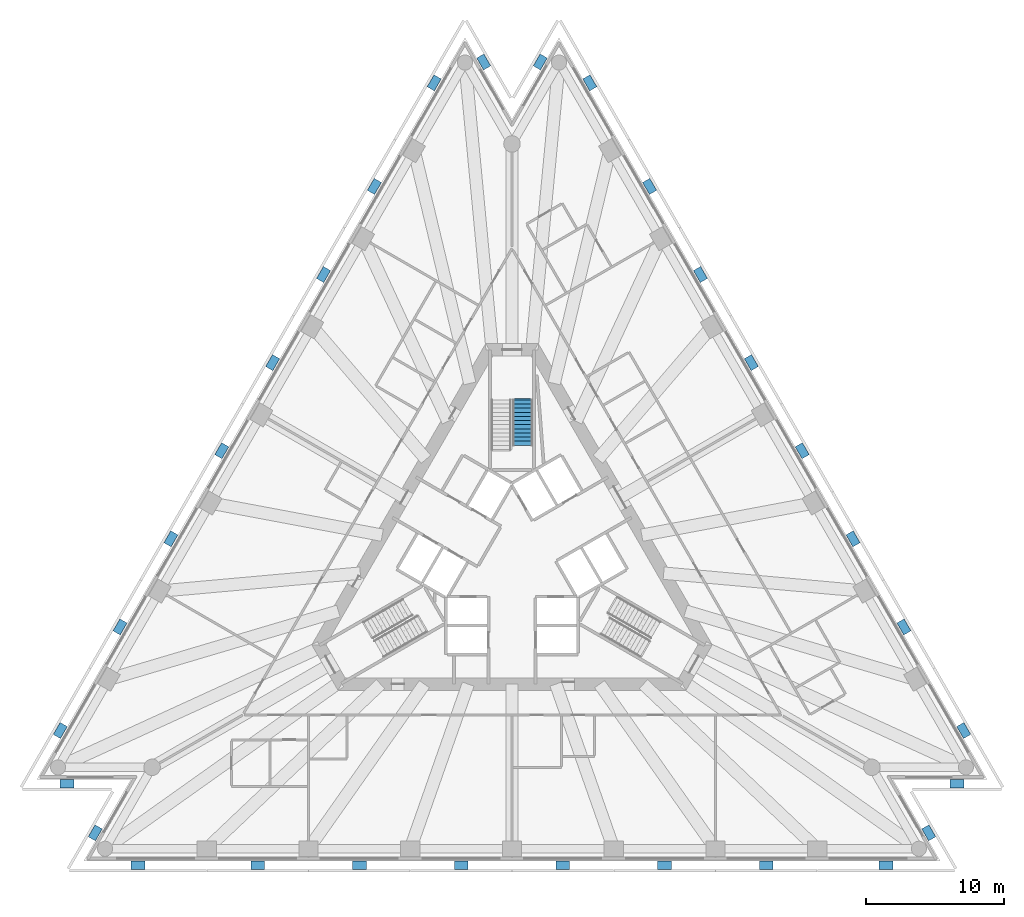
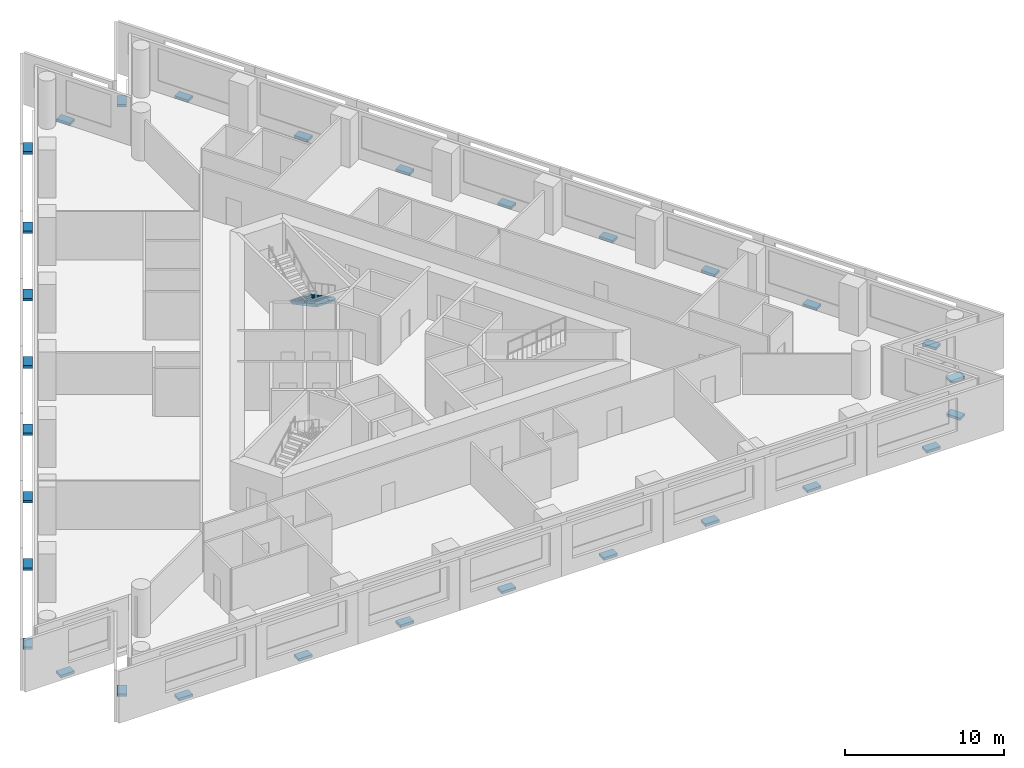
# One storey, part 9 of 11: 30 discrete accessories, 1 stair flight, 1 element without a shape of its own.
"""IFC4 building model written with IfcOpenShell, lengths in metres."""

from ifc_helpers import new_model, si_unit, direction, frame, origin, origin_2d, place, context, subcontext, project, spatial, polyline, rectangle, outline, extrude, material, type_object, element, aggregate, save


model = new_model("IFC4")

# Units and contexts
model_context = context("Model", 3, precision=1e-05, world=origin(), true_north=direction((0.0, 1.0)))
body_context = subcontext(model_context, "Body", "Model", "MODEL_VIEW")
ifc_project = project(units=[si_unit("LENGTHUNIT", "METRE"), si_unit("AREAUNIT", "SQUARE_METRE"), si_unit("VOLUMEUNIT", "CUBIC_METRE"), si_unit("PLANEANGLEUNIT", "RADIAN"), si_unit("MASSUNIT", "GRAM", prefix="KILO")], contexts=[model_context])

# Site, building, storey
site_placement = place(None, origin())
site = spatial("IfcSite", under=ifc_project, at=site_placement, CompositionType="ELEMENT")
building_placement = place(site_placement, origin())
building = spatial("IfcBuilding", under=site, at=building_placement, Name="Triada Interchange Tower", CompositionType="ELEMENT")
storey_placement = place(building_placement, frame((0.0, 0.0, 59.300048828125)))
storey = spatial("IfcBuildingStorey", under=building, at=storey_placement, Name="L12", CompositionType="ELEMENT", Elevation=59.300048828125)

# Stair, stair flight
ifc_material_1 = material(Name="Concrete C35/45", Category="concrete")
stair_type = type_object("IfcStairType", Name="HALF TURN STAIR 1400", PredefinedType="HALF_TURN_STAIR", material=ifc_material_1)
stair_placement = place(storey_placement, origin())
stair = element("IfcStair", 1, at=stair_placement, inside=storey, type_object=stair_type, Name="Exit stair S12-1", PredefinedType="HALF_TURN_STAIR")
stair_flight_type = type_object("IfcStairFlightType", Name="STRAIGHT STAIR FLIGHT 1400", PredefinedType="STRAIGHT", material=ifc_material_1)
stair_flight_placement = place(storey_placement, frame((0.800048828125, 11.60009765625, 0.0), z_axis=(0.0, 0.0, 1.0), x_axis=(0.0, -1.0, 0.0)))
stair_flight = element("IfcStairFlight", 2, at=stair_flight_placement, type_object=stair_flight_type, Name="S12-1 flight 1", NumberOfRisers=12, NumberOfTreads=11, PredefinedType="STRAIGHT", RiserHeight=0.16, TreadLength=0.3, context=body_context, shape_type="SweptSolid", body=[
    extrude(outline(polyline([(-0.10009765625, 0.0), (-0.10009765625, 0.02001953125), (0.0, 0.02001953125), (0.0, 0.159912109375), (0.300048828125, 0.159912109375), (0.300048828125, 0.320068359375), (0.60009765625, 0.320068359375), (0.60009765625, 0.47998046875), (0.89990234375, 0.47998046875), (0.89990234375, 0.639892578125), (1.199951171875, 0.639892578125), (1.199951171875, 0.800048828125), (1.5, 0.800048828125), (1.5, 0.9599609375), (1.800048828125, 0.9599609375), (1.800048828125, 1.1201171875), (2.10009765625, 1.1201171875), (2.10009765625, 1.280029296875), (2.39990234375, 1.280029296875), (2.39990234375, 1.43994140625), (2.699951171875, 1.43994140625), (2.699951171875, 1.60009765625), (3.0, 1.60009765625), (3.0, 1.760009765625), (3.300048828125, 1.760009765625), (3.303955078125, 1.760009765625), (3.303955078125, 1.919921875), (3.303955078125, 1.590087890625), (0.318603515625, 0.0), (-0.10009765625, 0.0)])), frame((0.0, 0.699951171875, 0.0), z_axis=(0.0, -1.0, 0.0), x_axis=(1.0, 0.0, 0.0)), (0.0, 0.0, 1.0), 0.46533203125),
    extrude(outline(polyline([(-0.10009765625, 0.0), (-0.10009765625, 0.02001953125), (0.0, 0.02001953125), (0.0, 0.159912109375), (0.300048828125, 0.159912109375), (0.300048828125, 0.320068359375), (0.60009765625, 0.320068359375), (0.60009765625, 0.47998046875), (0.89990234375, 0.47998046875), (0.89990234375, 0.639892578125), (1.199951171875, 0.639892578125), (1.199951171875, 0.800048828125), (1.5, 0.800048828125), (1.5, 0.9599609375), (1.800048828125, 0.9599609375), (1.800048828125, 1.1201171875), (2.10009765625, 1.1201171875), (2.10009765625, 1.280029296875), (2.39990234375, 1.280029296875), (2.39990234375, 1.43994140625), (2.699951171875, 1.43994140625), (2.699951171875, 1.60009765625), (3.0, 1.60009765625), (3.0, 1.760009765625), (3.300048828125, 1.760009765625), (3.303955078125, 1.760009765625), (3.303955078125, 1.919921875), (3.303955078125, 1.590087890625), (0.318603515625, 0.0), (-0.10009765625, 0.0)])), frame((0.0, 0.232666015625, 0.0), z_axis=(0.0, -1.0, 0.0), x_axis=(1.0, 0.0, 0.0)), (0.0, 0.0, 1.0), 0.46533203125),
    extrude(outline(polyline([(-0.10009765625, 0.0), (-0.10009765625, 0.02001953125), (0.0, 0.02001953125), (0.0, 0.159912109375), (0.300048828125, 0.159912109375), (0.300048828125, 0.320068359375), (0.60009765625, 0.320068359375), (0.60009765625, 0.47998046875), (0.89990234375, 0.47998046875), (0.89990234375, 0.639892578125), (1.199951171875, 0.639892578125), (1.199951171875, 0.800048828125), (1.5, 0.800048828125), (1.5, 0.9599609375), (1.800048828125, 0.9599609375), (1.800048828125, 1.1201171875), (2.10009765625, 1.1201171875), (2.10009765625, 1.280029296875), (2.39990234375, 1.280029296875), (2.39990234375, 1.43994140625), (2.699951171875, 1.43994140625), (2.699951171875, 1.60009765625), (3.0, 1.60009765625), (3.0, 1.760009765625), (3.300048828125, 1.760009765625), (3.303955078125, 1.760009765625), (3.303955078125, 1.919921875), (3.303955078125, 1.590087890625), (0.318603515625, 0.0), (-0.10009765625, 0.0)])), frame((0.0, -0.234619140625, 0.0), z_axis=(0.0, -1.0, 0.0), x_axis=(1.0, 0.0, 0.0)), (0.0, 0.0, 1.0), 0.46533203125),
])
aggregate(stair, [stair_flight])

# Discrete accessories
ifc_material_2 = material(Name="Steel S355", Category="steel")
discrete_accessory_type = type_object("IfcDiscreteAccessoryType", Name="Steel bracket outer skin", PredefinedType="BRACKET", material=ifc_material_2)
for number, where, z_axis, x_axis, name in (
    (3, (-5.654052734375, 34.636962890625, -0.27001953125), (0.0, 0.0, 1.0), (-0.86602214, 0.500005652997, 0.0), "Bracket L12 01"),
    (4, (-9.9990234375, 27.111083984375, -0.27001953125), (0.0, 0.0, 1.0), (-0.86602214, 0.500005652997, 0.0), "Bracket L12 02"),
    (5, (-13.695068359375, 20.7099609375, -0.27001953125), (0.0, 0.0, 1.0), (-0.86602214, 0.500005652997, 0.0), "Bracket L12 03"),
    (6, (-17.39111328125, 14.30810546875, -0.27001953125), (0.0, 0.0, 1.0), (-0.86602214, 0.500005652997, 0.0), "Bracket L12 04"),
    (7, (-21.0869140625, 7.906982421875, -0.27001953125), (0.0, 0.0, 1.0), (-0.86602214, 0.500005652997, 0.0), "Bracket L12 05"),
    (8, (-24.782958984375, 1.5048828125, -0.27001953125), (0.0, 0.0, 1.0), (-0.86602214, 0.500005652997, 0.0), "Bracket L12 06"),
    (9, (-28.47900390625, -4.89599609375, -0.27001953125), (0.0, 0.0, 1.0), (-0.86602214, 0.500005652997, 0.0), "Bracket L12 07"),
    (10, (-32.823974609375, -12.422119140625, -0.27001953125), (0.0, 0.0, 1.0), (-0.86602214, 0.500005652997, 0.0), "Bracket L12 08"),
    (11, (-32.337890625, -16.298095703125, -0.27001953125), (0.0, 0.0, 1.0), (0.0, -1.0, 0.0), "Bracket L12 09"),
    (12, (-30.282958984375, -19.85693359375, -0.27001953125), (0.0, 0.0, 1.0), (-0.866036905275, 0.499980078305, 0.0), "Bracket L12 10"),
    (13, (-27.1689453125, -22.215087890625, -0.27001953125), (0.0, 0.0, 1.0), (0.0, -1.0, 0.0), "Bracket L12 11"),
    (14, (-18.47900390625, -22.215087890625, -0.27001953125), (0.0, 0.0, 1.0), (0.0, -1.0, 0.0), "Bracket L12 12"),
    (15, (-11.0869140625, -22.215087890625, -0.27001953125), (0.0, 0.0, 1.0), (0.0, -1.0, 0.0), "Bracket L12 13"),
    (16, (-3.696044921875, -22.215087890625, -0.27001953125), (0.0, 0.0, 1.0), (0.0, -1.0, 0.0), "Bracket L12 14"),
    (17, (3.696044921875, -22.215087890625, -0.27001953125), (0.0, 0.0, 1.0), (0.0, -1.0, 0.0), "Bracket L12 15"),
    (18, (11.0869140625, -22.215087890625, -0.27001953125), (0.0, 0.0, 1.0), (0.0, -1.0, 0.0), "Bracket L12 16"),
    (19, (18.47900390625, -22.215087890625, -0.27001953125), (0.0, 0.0, 1.0), (0.0, -1.0, 0.0), "Bracket L12 17"),
    (20, (27.1689453125, -22.215087890625, -0.27001953125), (0.0, 0.0, 1.0), (0.0, -1.0, 0.0), "Bracket L12 18"),
    (21, (30.282958984375, -19.85693359375, -0.27001953125), (0.0, 0.0, 1.0), (0.866036905275, 0.499980078305, 0.0), "Bracket L12 19"),
    (22, (32.337890625, -16.298095703125, -0.27001953125), (0.0, 0.0, 1.0), (0.0, -1.0, 0.0), "Bracket L12 20"),
    (23, (32.823974609375, -12.422119140625, -0.27001953125), (0.0, 0.0, 1.0), (0.86602214, 0.500005652997, 0.0), "Bracket L12 21"),
    (24, (28.47900390625, -4.89599609375, -0.27001953125), (0.0, 0.0, 1.0), (0.86602214, 0.500005652997, 0.0), "Bracket L12 22"),
    (25, (24.782958984375, 1.5048828125, -0.27001953125), (0.0, 0.0, 1.0), (0.86602214, 0.500005652997, 0.0), "Bracket L12 23"),
    (26, (21.0869140625, 7.906982421875, -0.27001953125), (0.0, 0.0, 1.0), (0.86602214, 0.500005652997, 0.0), "Bracket L12 24"),
    (27, (17.39111328125, 14.30810546875, -0.27001953125), (0.0, 0.0, 1.0), (0.86602214, 0.500005652997, 0.0), "Bracket L12 25"),
    (28, (13.695068359375, 20.7099609375, -0.27001953125), (0.0, 0.0, 1.0), (0.86602214, 0.500005652997, 0.0), "Bracket L12 26"),
    (29, (9.9990234375, 27.111083984375, -0.27001953125), (0.0, 0.0, 1.0), (0.86602214, 0.500005652997, 0.0), "Bracket L12 27"),
    (30, (5.654052734375, 34.636962890625, -0.27001953125), (0.0, 0.0, 1.0), (0.86602214, 0.500005652997, 0.0), "Bracket L12 28"),
    (31, (2.053955078125, 36.155029296875, -0.27001953125), (0.0, 0.0, 1.0), (-0.866036905275, 0.499980078305, 0.0), "Bracket L12 29"),
    (32, (-2.053955078125, 36.155029296875, -0.27001953125), (0.0, 0.0, 1.0), (0.866036905275, 0.499980078305, 0.0), "Bracket L12 30"),
):
    element("IfcDiscreteAccessory", number, at=place(storey_placement, frame(where, z_axis=z_axis, x_axis=x_axis)), inside=storey, type_object=discrete_accessory_type, Name=name, PredefinedType="BRACKET", context=body_context, shape_type="SweptSolid", body=[
        extrude(rectangle(XDim=0.60009765625, YDim=1.0, at=origin_2d()), origin(), (0.0, 0.0, 1.0), 0.199951171875),
    ])

save(model, "model.ifc")
